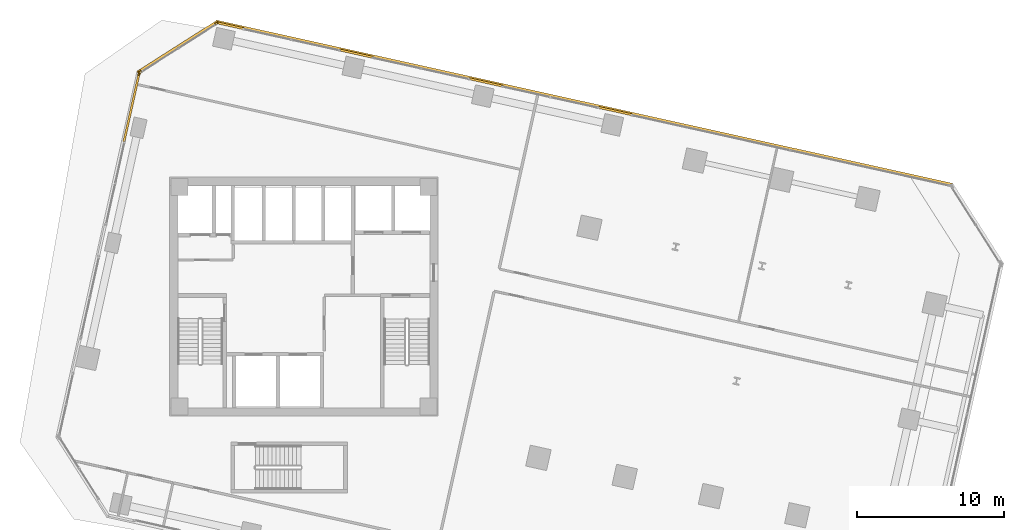
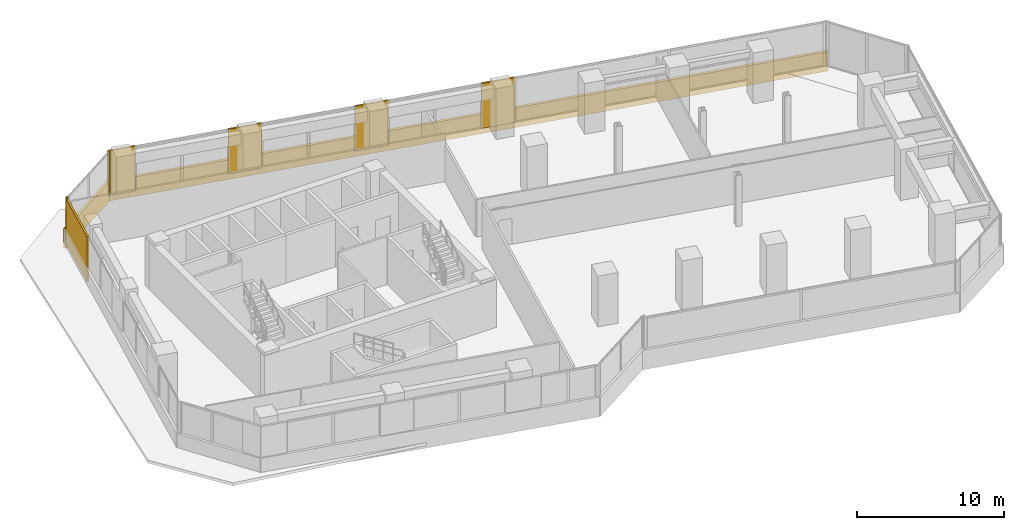
# One storey, part 25 of 25: 10 coverings.
"""IFC4 building model written with IfcOpenShell, lengths in metres."""

from ifc_helpers import new_model, si_unit, direction, frame, origin, origin_2d, place, context, subcontext, project, spatial, rectangle, extrude, source, transform, mapped, material, layer, layer_set, type_object, element, save


model = new_model("IFC4")

# Units and contexts
model_context = context("Model", 3, precision=1e-05, world=origin(), true_north=direction((0.0, 1.0)))
body_context = subcontext(model_context, "Body", "Model", "MODEL_VIEW")
ifc_project = project(units=[si_unit("LENGTHUNIT", "METRE"), si_unit("AREAUNIT", "SQUARE_METRE"), si_unit("VOLUMEUNIT", "CUBIC_METRE"), si_unit("PLANEANGLEUNIT", "RADIAN"), si_unit("MASSUNIT", "GRAM", prefix="KILO")], contexts=[model_context])

# Site, building, storey
site_placement = place(None, origin())
site = spatial("IfcSite", under=ifc_project, at=site_placement, CompositionType="ELEMENT")
building_placement = place(site_placement, origin())
building = spatial("IfcBuilding", under=site, at=building_placement, Name="Torre Montelarca", CompositionType="ELEMENT")
storey_placement = place(building_placement, frame((0.0, 0.0, 87.39990234375)))
storey = spatial("IfcBuildingStorey", under=building, at=storey_placement, Name="L19", CompositionType="ELEMENT", Elevation=87.39990234375)

# Coverings
ifc_material = material(Name="Bush-hammered warm white precast concrete C45/55", Category="concrete")
ifc_layer = layer(ifc_material, 0.139892578125, Name="Bush-hammered warm white precast concrete C45/55", Category="concrete")
ifc_layer_set = layer_set([ifc_layer], Name="Bush-hammered warm white precast concrete C45/55")
covering_type = type_object("IfcCoveringType", Name="COV-TRAY-CLAD", PredefinedType="CLADDING", material=ifc_layer_set)
shared_shape_1 = source(origin(), body_context, "Body", "SweptSolid", [
    extrude(rectangle(XDim=6.48388671875, YDim=0.219970703125, at=origin_2d()), origin(), (0.0, 0.0, 1.0), 1.6201171875),
])
covering_1_placement = place(storey_placement, frame((9.45166015625, 48.93798828125, -0.449951171875), z_axis=(0.0, 0.0, 1.0), x_axis=(-0.843387694733, -0.537305496317, 0.0)))
element("IfcCovering", 1, at=covering_1_placement, inside=storey, type_object=covering_type, Name="L19 Architectural White Spandrel Tray Band TRYBOT-09", PredefinedType="CLADDING", context=body_context, shape_type="MappedRepresentation", body=[
    mapped(shared_shape_1, transform((0.0, 0.0, 0.0), scale=1.0)),
])
shared_shape_2 = source(origin(), body_context, "Body", "SweptSolid", [
    extrude(rectangle(XDim=51.219970703125, YDim=0.219970703125, at=origin_2d()), origin(), (0.0, 0.0, 1.0), 1.6201171875),
])
covering_2_placement = place(storey_placement, frame((37.05712890625, 45.11376953125, -0.449951171875), z_axis=(0.0, 0.0, 1.0), x_axis=(-0.97629600712, 0.216439613938, 0.0)))
element("IfcCovering", 2, at=covering_2_placement, inside=storey, type_object=covering_type, Name="L19 Architectural White Spandrel Tray Band TRYBOT-08", PredefinedType="CLADDING", context=body_context, shape_type="MappedRepresentation", body=[
    mapped(shared_shape_2, transform((0.0, 0.0, 0.0), scale=1.0)),
])
shared_shape_3 = source(origin(), body_context, "Body", "SweptSolid", [
    extrude(rectangle(XDim=0.199951171875, YDim=0.139892578125, at=origin_2d()), origin(), (0.0, 0.0, 1.0), 3.719970703125),
])
for number, where, z_axis, x_axis, name in (
    (3, (12.06982421875, 50.534912109375, 0.0), (0.0, 0.0, 1.0), (-0.843382068037, -0.537314328223, 0.0), "L19 Architectural Column Pier Cladding E09-1"),
    (4, (6.89794921875, 47.239990234375, 0.0), (0.0, 0.0, 1.0), (-0.843382068037, -0.537314328223, 0.0), "L19 Architectural Column Pier Cladding E09-2"),
    (5, (6.814697265625, 47.12109375, 0.0), (0.0, 0.0, 1.0), (-0.216441317896, -0.97629562936, 0.0), "L19 Architectural Column Pier Cladding E10-1"),
):
    element("IfcCovering", number, at=place(storey_placement, frame(where, z_axis=z_axis, x_axis=x_axis)), inside=storey, type_object=covering_type, Name=name, PredefinedType="CLADDING", context=body_context, shape_type="MappedRepresentation", body=[
        mapped(shared_shape_3, transform((0.0, 0.0, 0.0), scale=1.0)),
    ])
shared_shape_4 = source(origin(), body_context, "Body", "SweptSolid", [
    extrude(rectangle(XDim=4.76416015625, YDim=0.139892578125, at=origin_2d()), origin(), (0.0, 0.0, 1.0), 3.719970703125),
])
covering_3_placement = place(storey_placement, frame((6.29931640625, 44.79541015625, 0.0), z_axis=(0.0, 0.0, 1.0), x_axis=(-0.216441317896, -0.97629562936, 0.0)))
element("IfcCovering", 6, at=covering_3_placement, inside=storey, type_object=covering_type, Name="L19 Architectural Column Pier Cladding E10-2", PredefinedType="CLADDING", context=body_context, shape_type="MappedRepresentation", body=[
    mapped(shared_shape_4, transform((0.0, 0.0, 0.0), scale=1.0)),
])
shared_shape_5 = source(origin(), body_context, "Body", "SweptSolid", [
    extrude(rectangle(XDim=2.360107421875, YDim=0.139892578125, at=origin_2d()), origin(), (0.0, 0.0, 1.0), 3.719970703125),
])
for number, where, z_axis, x_axis, name in (
    (7, (39.143310546875, 44.589599609375, 0.0), (0.0, 0.0, 1.0), (-0.97629600712, 0.216439613938, 0.0), "L19 Architectural Column Pier Cladding E08-2"),
    (8, (30.3564453125, 46.53759765625, 0.0), (0.0, 0.0, 1.0), (-0.97629600712, 0.216439613938, 0.0), "L19 Architectural Column Pier Cladding E08-3"),
    (9, (21.56982421875, 48.485595703125, 0.0), (0.0, 0.0, 1.0), (-0.97629600712, 0.216439613938, 0.0), "L19 Architectural Column Pier Cladding E08-4"),
):
    element("IfcCovering", number, at=place(storey_placement, frame(where, z_axis=z_axis, x_axis=x_axis)), inside=storey, type_object=covering_type, Name=name, PredefinedType="CLADDING", context=body_context, shape_type="MappedRepresentation", body=[
        mapped(shared_shape_5, transform((0.0, 0.0, 0.0), scale=1.0)),
    ])
shared_shape_6 = source(origin(), body_context, "Body", "SweptSolid", [
    extrude(rectangle(XDim=1.8642578125, YDim=0.139892578125, at=origin_2d()), origin(), (0.0, 0.0, 1.0), 3.719970703125),
])
covering_4_placement = place(storey_placement, frame((13.025146484375, 50.3798828125, 0.0), z_axis=(0.0, 0.0, 1.0), x_axis=(-0.97629600712, 0.216439613938, 0.0)))
element("IfcCovering", 10, at=covering_4_placement, inside=storey, type_object=covering_type, Name="L19 Architectural Column Pier Cladding E08-5", PredefinedType="CLADDING", context=body_context, shape_type="MappedRepresentation", body=[
    mapped(shared_shape_6, transform((0.0, 0.0, 0.0), scale=1.0)),
])

save(model, "model.ifc")
